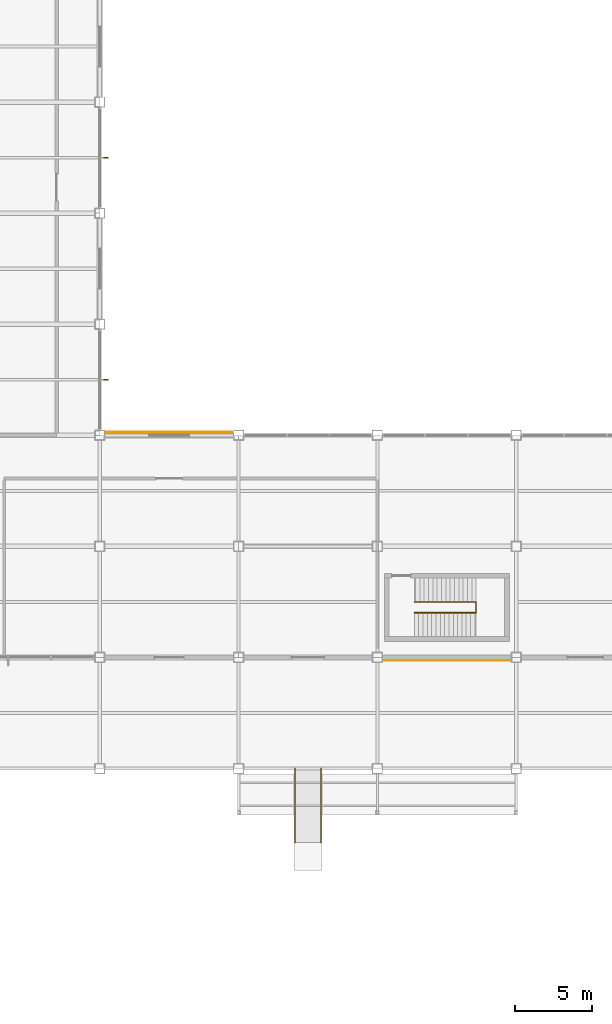
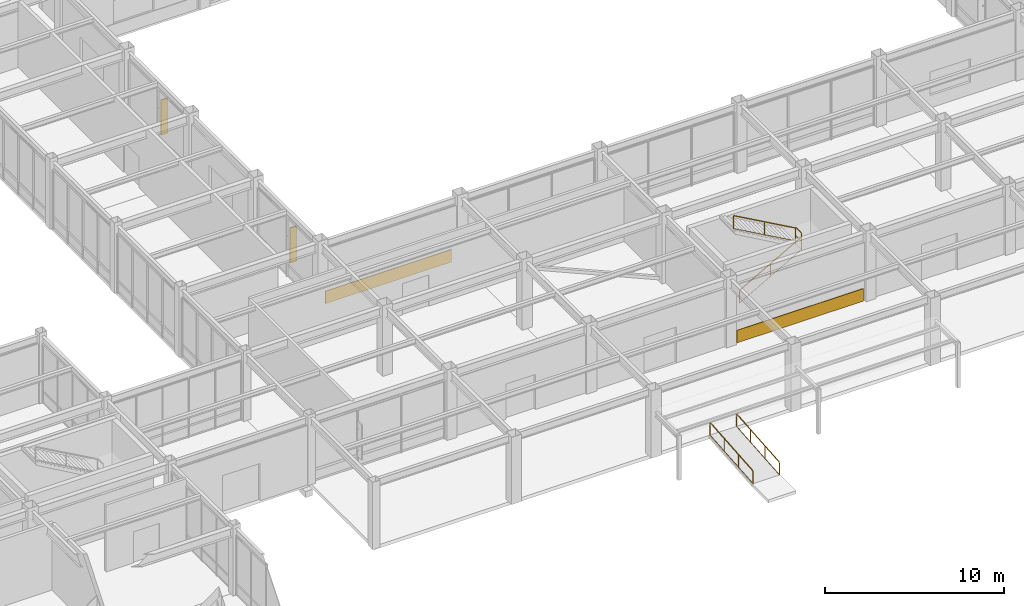
# One storey, part 106 of 112: 5 railings, 2 coverings, 2 shading devices.
"""IFC4 building model written with IfcOpenShell, lengths in metres."""

from ifc_helpers import new_model, si_unit, direction, frame, origin, origin_2d, place, context, subcontext, project, spatial, rectangle, extrude, material, layer, layer_set, type_object, element, save


model = new_model("IFC4")

# Units and contexts
model_context = context("Model", 3, precision=1e-05, world=origin(), true_north=direction((0.0, 1.0)))
body_context = subcontext(model_context, "Body", "Model", "MODEL_VIEW")
ifc_project = project(units=[si_unit("LENGTHUNIT", "METRE"), si_unit("AREAUNIT", "SQUARE_METRE"), si_unit("VOLUMEUNIT", "CUBIC_METRE"), si_unit("PLANEANGLEUNIT", "RADIAN"), si_unit("MASSUNIT", "GRAM", prefix="KILO")], contexts=[model_context])

# Site, building, storey
site_placement = place(None, origin())
site = spatial("IfcSite", under=ifc_project, at=site_placement, CompositionType="ELEMENT")
building_placement = place(site_placement, origin())
building = spatial("IfcBuilding", under=site, at=building_placement, Name="Kazanami Central Library", CompositionType="ELEMENT")
storey_placement = place(building_placement, origin())
storey = spatial("IfcBuildingStorey", under=building, at=storey_placement, Name="L01", CompositionType="ELEMENT", Elevation=0.0)

# Coverings
ifc_material_1 = material(Name="Honed Inada Granite", Category="masonry")
ifc_layer_1 = layer(ifc_material_1, 0.0400390625, Name="Honed Inada Granite")
ifc_layer_set_1 = layer_set([ifc_layer_1], Name="Honed Inada Granite")
covering_type_1 = type_object("IfcCoveringType", Name="COV-CLD-40", PredefinedType="CLADDING", material=ifc_layer_set_1)
covering_1_placement = place(storey_placement, frame((76.5, 21.405029296875, 0.02490234375), z_axis=(0.0, 0.0, 1.0), x_axis=(1.0, 0.0, 0.0)))
element("IfcCovering", 1, at=covering_1_placement, inside=storey, type_object=covering_type_1, Name="Honed Inada Granite Plinth CLD-40 S-D-08", PredefinedType="CLADDING", context=body_context, shape_type="SweptSolid", body=[
    extrude(rectangle(XDim=8.14990234375, YDim=0.0400390625, at=origin_2d()), origin(), (0.0, 0.0, 1.0), 0.85009765625),
])
ifc_layer_2 = layer(ifc_material_1, 0.050048828125, Name="Honed Inada Granite")
ifc_layer_set_2 = layer_set([ifc_layer_2], Name="Honed Inada Granite")
covering_type_2 = type_object("IfcCoveringType", Name="COV-CLD-50", PredefinedType="CLADDING", material=ifc_layer_set_2)
covering_2_placement = place(storey_placement, frame((58.5, 36.199951171875, 0.02490234375), z_axis=(0.0, 0.0, 1.0), x_axis=(-1.0, 0.0, 0.0)))
element("IfcCovering", 2, at=covering_2_placement, inside=storey, type_object=covering_type_2, Name="Honed Inada Granite Plinth CLD-50 N-F-06", PredefinedType="CLADDING", context=body_context, shape_type="SweptSolid", body=[
    extrude(rectangle(XDim=8.14990234375, YDim=0.050048828125, at=origin_2d()), origin(), (0.0, 0.0, 1.0), 0.85009765625),
])

# Railings
ifc_material_2 = material(Name="Stainless Steel SUS304", Category="steel")
railing_type_1 = type_object("IfcRailingType", Name="RAL-GR-S1", PredefinedType="GUARDRAIL", material=ifc_material_2)
railing_1_placement = place(storey_placement, frame((78.387939453125, 24.52001953125, 2.39990234375)))
element("IfcRailing", 3, at=railing_1_placement, inside=storey, type_object=railing_type_1, Name="Half-Landing Well Guard ST-09 L01", PredefinedType="GUARDRAIL", context=body_context, shape_type="SweptSolid", body=[
    extrude(rectangle(XDim=0.0439453125, YDim=0.0439453125, at=origin_2d()), frame((0.0, 0.02587890625, 1.1279296875), z_axis=(0.0, 1.0, 0.0), x_axis=(-1.0, 0.0, 0.0)), (0.0, 0.0, 1.0), 0.60791015625),
    extrude(rectangle(XDim=0.02392578125, YDim=0.02392578125, at=origin_2d()), frame((0.0, 0.02587890625, 0.015869140625), z_axis=(0.0, 1.0, 0.0), x_axis=(-1.0, 0.0, 0.0)), (0.0, 0.0, 1.0), 0.60791015625),
    extrude(rectangle(XDim=0.02392578125, YDim=0.02392578125, at=origin_2d()), frame((0.0, 0.02587890625, 0.574951171875), z_axis=(0.0, 1.0, 0.0), x_axis=(-1.0, 0.0, 0.0)), (0.0, 0.0, 1.0), 0.60791015625),
    extrude(rectangle(XDim=0.035888671875, YDim=0.035888671875, at=origin_2d()), origin(), (0.0, 0.0, 1.0), 1.10205078125),
    extrude(rectangle(XDim=0.035888671875, YDim=0.035888671875, at=origin_2d()), frame((0.0, 0.659912109375, 0.0)), (0.0, 0.0, 1.0), 1.10205078125),
])
railing_type_2 = type_object("IfcRailingType", Name="RAL-HR-01", PredefinedType="HANDRAIL", material=ifc_material_2)
railing_2_placement = place(storey_placement, frame((74.39404296875, 24.5, 0.159912109375)))
element("IfcRailing", 4, at=railing_2_placement, inside=storey, type_object=railing_type_2, Name="Stair Handrail ST-09 Flight 1 (L01)", PredefinedType="HANDRAIL", context=body_context, shape_type="SweptSolid", body=[
    extrude(rectangle(XDim=0.0439453125, YDim=0.0439453125, at=origin_2d()), frame((0.022705078125, 0.0, 0.890625), z_axis=(0.872188536466, 0.0, 0.489169865033), x_axis=(0.0, 1.0, 0.0)), (0.0, 0.0, 1.0), 4.527099609375),
    extrude(rectangle(XDim=0.02392578125, YDim=0.02392578125, at=origin_2d()), frame((0.022705078125, 0.0, 0.028564453125), z_axis=(0.872188536466, 0.0, 0.489169865033), x_axis=(0.0, 1.0, 0.0)), (0.0, 0.0, 1.0), 4.527099609375),
    extrude(rectangle(XDim=0.035888671875, YDim=0.035888671875, at=origin_2d()), origin(), (0.0, 0.0, 1.0), 0.85205078125),
    extrude(rectangle(XDim=0.035888671875, YDim=0.035888671875, at=origin_2d()), frame((1.9970703125, 0.0, 1.1201171875)), (0.0, 0.0, 1.0), 0.85205078125),
    extrude(rectangle(XDim=0.035888671875, YDim=0.035888671875, at=origin_2d()), frame((3.993896484375, 0.0, 2.239990234375)), (0.0, 0.0, 1.0), 0.85205078125),
])
for number, where, name in (
    (5, (66.64990234375, 9.60009765625, -0.39990234375), "Accessible Ramp Handrail RMP-COLONNADE (L)"),
    (6, (68.35009765625, 9.60009765625, -0.39990234375), "Accessible Ramp Handrail RMP-COLONNADE (R)"),
):
    element("IfcRailing", number, at=place(storey_placement, frame(where)), inside=storey, type_object=railing_type_2, Name=name, PredefinedType="HANDRAIL", context=body_context, shape_type="SweptSolid", body=[
        extrude(rectangle(XDim=0.0439453125, YDim=0.0439453125, at=origin_2d()), frame((0.0, 0.02587890625, 0.880126953125), z_axis=(0.0, 0.996547156423, 0.083028700011), x_axis=(-1.0, 0.0, 0.0)), (0.0, 0.0, 1.0), 4.764404296875),
        extrude(rectangle(XDim=0.02392578125, YDim=0.02392578125, at=origin_2d()), frame((0.0, 0.02587890625, 0.01806640625), z_axis=(0.0, 0.996547156423, 0.083028700011), x_axis=(-1.0, 0.0, 0.0)), (0.0, 0.0, 1.0), 4.764404296875),
        extrude(rectangle(XDim=0.035888671875, YDim=0.035888671875, at=origin_2d()), origin(), (0.0, 0.0, 1.0), 0.85205078125),
        extrude(rectangle(XDim=0.035888671875, YDim=0.035888671875, at=origin_2d()), frame((0.0, 1.599853515625, 0.13330078125)), (0.0, 0.0, 1.0), 0.85205078125),
        extrude(rectangle(XDim=0.035888671875, YDim=0.035888671875, at=origin_2d()), frame((0.0, 3.199951171875, 0.2666015625)), (0.0, 0.0, 1.0), 0.85205078125),
        extrude(rectangle(XDim=0.035888671875, YDim=0.035888671875, at=origin_2d()), frame((0.0, 4.7998046875, 0.39990234375)), (0.0, 0.0, 1.0), 0.85205078125),
    ])
railing_type_3 = type_object("IfcRailingType", Name="RAL-HR-02", PredefinedType="HANDRAIL", material=ifc_material_2)
railing_3_placement = place(storey_placement, frame((78.39404296875, 25.199951171875, 2.56005859375)))
element("IfcRailing", 7, at=railing_3_placement, inside=storey, type_object=railing_type_3, Name="Stair Handrail ST-09 Flight 2 (L01)", PredefinedType="HANDRAIL", context=body_context, shape_type="SweptSolid", body=[
    extrude(rectangle(XDim=0.0439453125, YDim=0.0439453125, at=origin_2d()), frame((-0.022705078125, 0.0, 0.91064453125), z_axis=(-0.872201293295, 0.0, 0.489147118947), x_axis=(0.0, -1.0, 0.0)), (0.0, 0.0, 1.0), 4.52734375),
    extrude(rectangle(XDim=0.02392578125, YDim=0.02392578125, at=origin_2d()), frame((-0.022705078125, 0.0, 0.028564453125), z_axis=(-0.872201293295, 0.0, 0.489147118947), x_axis=(0.0, -1.0, 0.0)), (0.0, 0.0, 1.0), 4.52734375),
    extrude(rectangle(XDim=0.035888671875, YDim=0.035888671875, at=origin_2d()), origin(), (0.0, 0.0, 1.0), 0.8720703125),
    extrude(rectangle(XDim=0.035888671875, YDim=0.035888671875, at=origin_2d()), frame((-1.9970703125, 0.0, 1.1201171875)), (0.0, 0.0, 1.0), 0.8720703125),
    extrude(rectangle(XDim=0.035888671875, YDim=0.035888671875, at=origin_2d()), frame((-3.994140625, 0.0, 2.239990234375)), (0.0, 0.0, 1.0), 0.8720703125),
])

# Shading devices
ifc_material_3 = material(Name="Anodised Bronze-Grey Aluminium A6063-T5", Category="aluminium")
shading_device_type = type_object("IfcShadingDeviceType", Name="SHD-FIN-2", PredefinedType="USERDEFINED", material=ifc_material_3)
for number, where, z_axis, x_axis, name in (
    (8, (54.330078125, 39.60009765625, 0.82763671875), (0.0, 0.0, 1.0), (0.0, -1.0, 0.0), "Vertical Solar Fin SF-02 L01 E-7-05.1"),
    (9, (54.330078125, 54.0, 0.82763671875), (0.0, 0.0, 1.0), (0.0, -1.0, 0.0), "Vertical Solar Fin SF-02 L01 E-7-07.1"),
):
    element("IfcShadingDevice", number, at=place(storey_placement, frame(where, z_axis=z_axis, x_axis=x_axis)), inside=storey, type_object=shading_device_type, Name=name, ObjectType="SOLAR FIN", PredefinedType="USERDEFINED", context=body_context, shape_type="SweptSolid", body=[
        extrude(rectangle(XDim=0.06494140625, YDim=0.419921875, at=origin_2d()), origin(), (0.0, 0.0, 1.0), 2.39990234375),
    ])

save(model, "model.ifc")
